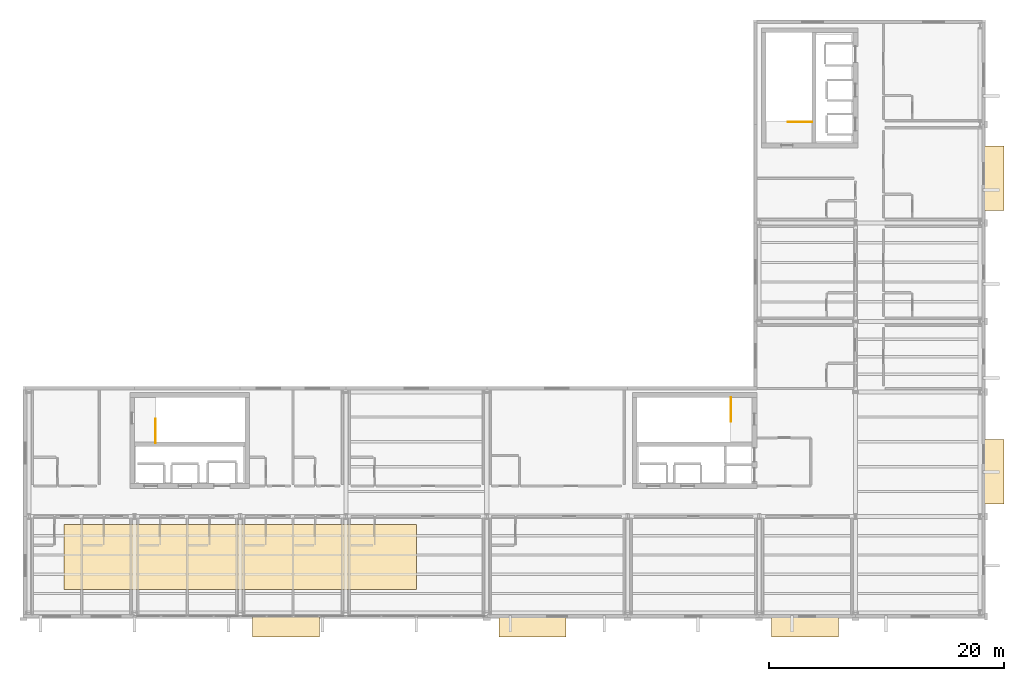
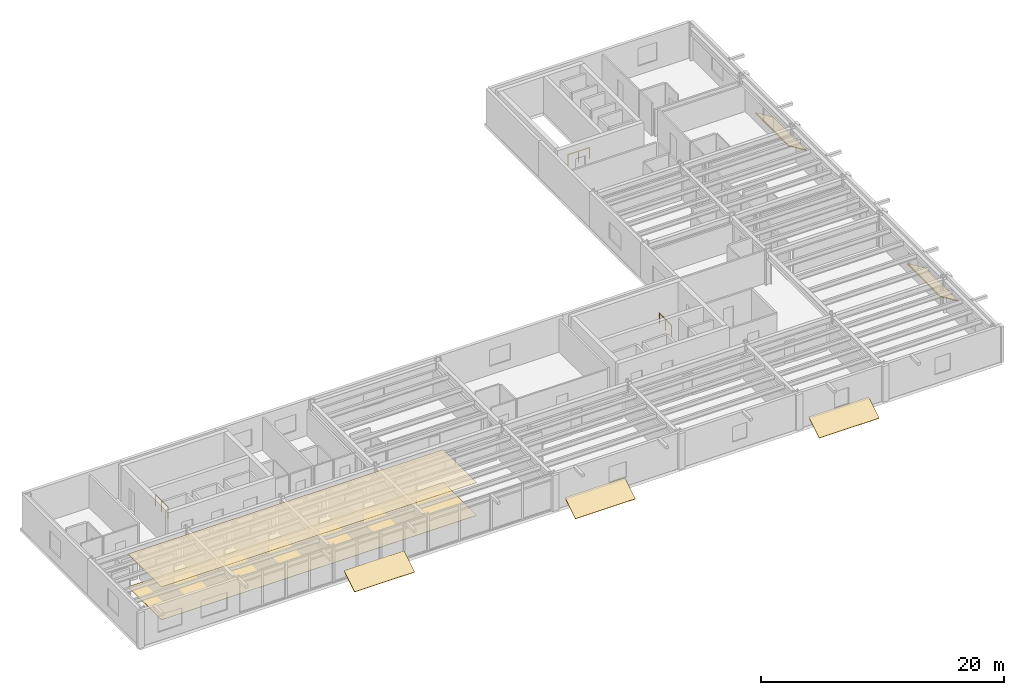
# One storey, part 19 of 19: 7 coverings, 3 railings.
"""IFC4 building model written with IfcOpenShell, lengths in metres."""

from ifc_helpers import new_model, si_unit, direction, frame, origin, origin_2d, place, context, subcontext, project, spatial, polyline, circle, outline, extrude, material, layer, layer_set, type_object, element, save


model = new_model("IFC4")

# Units and contexts
model_context = context("Model", 3, precision=1e-05, world=origin(), true_north=direction((0.0, 1.0)))
body_context = subcontext(model_context, "Body", "Model", "MODEL_VIEW")
ifc_project = project(units=[si_unit("LENGTHUNIT", "METRE"), si_unit("AREAUNIT", "SQUARE_METRE"), si_unit("VOLUMEUNIT", "CUBIC_METRE"), si_unit("PLANEANGLEUNIT", "RADIAN"), si_unit("MASSUNIT", "GRAM", prefix="KILO")], contexts=[model_context])

# Site, building, storey
site_placement = place(None, origin())
site = spatial("IfcSite", under=ifc_project, at=site_placement, CompositionType="ELEMENT")
building_placement = place(site_placement, origin())
building = spatial("IfcBuilding", under=site, at=building_placement, Name="Sollismere Congress Hotel", CompositionType="ELEMENT")
storey_placement = place(building_placement, frame((0.0, 0.0, 44.60009765625)))
storey = spatial("IfcBuildingStorey", under=building, at=storey_placement, Name="L11", CompositionType="ELEMENT", Elevation=44.60009765625)

# Coverings
ifc_material_1 = material(Name="Perforated Acoustic Gypsum Ceiling")
ifc_layer_1 = layer(ifc_material_1, 0.02490234375, Name="Perforated Acoustic Gypsum Ceiling")
ifc_layer_set_1 = layer_set([ifc_layer_1], Name="Perforated Acoustic Gypsum Ceiling")
covering_type_1 = type_object("IfcCoveringType", Name="COV-CEIL", PredefinedType="CEILING", material=ifc_layer_set_1)
covering_1_placement = place(storey_placement, frame((0.0, 0.0, 3.2998046875)))
element("IfcCovering", 1, at=covering_1_placement, inside=storey, type_object=covering_type_1, Name="COV-CLG-08", PredefinedType="CEILING", context=body_context, shape_type="SweptSolid", body=[
    extrude(outline(polyline([(88.0, 2.0), (118.0, 2.0), (118.0, 7.5), (88.0, 7.5), (88.0, 2.0)])), origin(), (0.0, 0.0, 1.0), 0.025146484375),
])
ifc_material_2 = material(Name="Honed Anatolian Travertine Stone Tile", Category="masonry")
ifc_layer_2 = layer(ifc_material_2, 0.030029296875, Name="Honed Anatolian Travertine Stone Tile")
ifc_layer_set_2 = layer_set([ifc_layer_2], Name="Honed Anatolian Travertine Stone Tile")
covering_type_2 = type_object("IfcCoveringType", Name="COV-FLOR", PredefinedType="FLOORING", material=ifc_layer_set_2)
covering_2_placement = place(storey_placement, origin())
element("IfcCovering", 2, at=covering_2_placement, inside=storey, type_object=covering_type_2, Name="COV-FL-08", PredefinedType="FLOORING", context=body_context, shape_type="SweptSolid", body=[
    extrude(outline(polyline([(88.0, 2.0), (118.0, 2.0), (118.0, 7.5), (88.0, 7.5), (88.0, 2.0)])), origin(), (0.0, 0.0, 1.0), 0.02978515625),
])
ifc_material_3 = material(Name="Standing-Seam Titanium-Zinc Roof Assembly")
ifc_layer_3 = layer(ifc_material_3, 0.054931640625, Name="Standing-Seam Titanium-Zinc Roof Assembly")
ifc_layer_set_3 = layer_set([ifc_layer_3], Name="Standing-Seam Titanium-Zinc Roof Assembly")
covering_type_3 = type_object("IfcCoveringType", Name="CV-RFZNC", PredefinedType="ROOFING", material=ifc_layer_set_3)
for number, where, z_axis, x_axis, name in (
    (3, (104.050048828125, -2.008056640625, -0.38330078125), (0.0, -0.525209771298, 0.850972794003), (1.0, 0.0, 0.0), "Cikma bay sacak hood SL-CKH-33"),
    (4, (125.050048828125, -2.008056640625, -0.38330078125), (0.0, -0.525209771298, 0.850972794003), (1.0, 0.0, 0.0), "Cikma bay sacak hood SL-CKH-34"),
    (5, (148.25, -2.008056640625, -0.38330078125), (0.0, -0.525209771298, 0.850972794003), (1.0, 0.0, 0.0), "Cikma bay sacak hood SL-CKH-35"),
):
    element("IfcCovering", number, at=place(storey_placement, frame(where, z_axis=z_axis, x_axis=x_axis)), inside=storey, type_object=covering_type_3, Name=name, PredefinedType="ROOFING", context=body_context, shape_type="SweptSolid", body=[
        extrude(outline(polyline([(0.0, 0.0), (5.699951171875, 0.0), (5.699951171875, 2.056396484375), (0.0, 2.056396484375), (0.0, 0.0)])), origin(), (0.0, 0.0, 1.0), 0.080078125),
    ])
for number, where, z_axis, x_axis, name in (
    (6, (166.258056640625, 9.25, 0.69677734375), (0.525209771298, 0.0, 0.850972794003), (0.850972794003, 0.0, -0.525209771298), "Cikma bay sacak hood SL-CKH-36"),
    (7, (166.258056640625, 34.25, 0.69677734375), (0.525209771298, 0.0, 0.850972794003), (0.850972794003, 0.0, -0.525209771298), "Cikma bay sacak hood SL-CKH-37"),
):
    element("IfcCovering", number, at=place(storey_placement, frame(where, z_axis=z_axis, x_axis=x_axis)), inside=storey, type_object=covering_type_3, Name=name, PredefinedType="ROOFING", context=body_context, shape_type="SweptSolid", body=[
        extrude(outline(polyline([(0.0, 0.0), (2.056396484375, 0.0), (2.056396484375, 5.5), (0.0, 5.5), (0.0, 0.0)])), origin(), (0.0, 0.0, 1.0), 0.080078125),
    ])

# Railings
ifc_material_4 = material(Name="Steel ASTM A500 Grade C", Category="steel")
railing_type = type_object("IfcRailingType", Name="RL-GRD112", PredefinedType="GUARDRAIL", material=ifc_material_4)
railing_1_placement = place(storey_placement, frame((144.800048828125, 18.35009765625, 0.0)))
element("IfcRailing", 8, at=railing_1_placement, inside=storey, type_object=railing_type, Name="RLG-RG-ST-01-TOP1", PredefinedType="GUARDRAIL", context=body_context, shape_type="SweptSolid", body=[
    extrude(circle(Radius=0.02392578125, at=origin_2d()), frame((0.0, 0.0, 1.09619140625), z_axis=(0.0, -1.0, 0.0), x_axis=(1.0, 0.0, 0.0)), (0.0, 0.0, 1.0), 2.050048828125),
    extrude(circle(Radius=0.02099609375, at=origin_2d()), origin(), (0.0, 0.0, 1.0), 1.072021484375),
    extrude(circle(Radius=0.02099609375, at=origin_2d()), frame((0.0, -1.02490234375, 0.0)), (0.0, 0.0, 1.0), 1.072021484375),
    extrude(circle(Radius=0.02099609375, at=origin_2d()), frame((0.0, -2.050048828125, 0.0)), (0.0, 0.0, 1.0), 1.072021484375),
])
railing_2_placement = place(storey_placement, frame((95.800048828125, 14.449951171875, 0.0)))
element("IfcRailing", 9, at=railing_2_placement, inside=storey, type_object=railing_type, Name="RLG-RG-ST-02-TOP1", PredefinedType="GUARDRAIL", context=body_context, shape_type="SweptSolid", body=[
    extrude(circle(Radius=0.02392578125, at=origin_2d()), frame((0.0, 0.0, 1.09619140625), z_axis=(0.0, 1.0, 0.0), x_axis=(-1.0, 0.0, 0.0)), (0.0, 0.0, 1.0), 2.050048828125),
    extrude(circle(Radius=0.02099609375, at=origin_2d()), origin(), (0.0, 0.0, 1.0), 1.072021484375),
    extrude(circle(Radius=0.02099609375, at=origin_2d()), frame((0.0, 1.02490234375, 0.0)), (0.0, 0.0, 1.0), 1.072021484375),
    extrude(circle(Radius=0.02099609375, at=origin_2d()), frame((0.0, 2.050048828125, 0.0)), (0.0, 0.0, 1.0), 1.072021484375),
])
railing_3_placement = place(storey_placement, frame((151.699951171875, 41.800048828125, 0.0)))
element("IfcRailing", 10, at=railing_3_placement, inside=storey, type_object=railing_type, Name="RLG-RG-ST-03-TOP1", PredefinedType="GUARDRAIL", context=body_context, shape_type="SweptSolid", body=[
    extrude(circle(Radius=0.02392578125, at=origin_2d()), frame((0.0, 0.0, 1.09619140625), z_axis=(-1.0, 0.0, 0.0), x_axis=(0.0, -1.0, 0.0)), (0.0, 0.0, 1.0), 2.050048828125),
    extrude(circle(Radius=0.02099609375, at=origin_2d()), origin(), (0.0, 0.0, 1.0), 1.072021484375),
    extrude(circle(Radius=0.02099609375, at=origin_2d()), frame((-1.02490234375, 0.0, 0.0)), (0.0, 0.0, 1.0), 1.072021484375),
    extrude(circle(Radius=0.02099609375, at=origin_2d()), frame((-2.050048828125, 0.0, 0.0)), (0.0, 0.0, 1.0), 1.072021484375),
])

save(model, "model.ifc")
